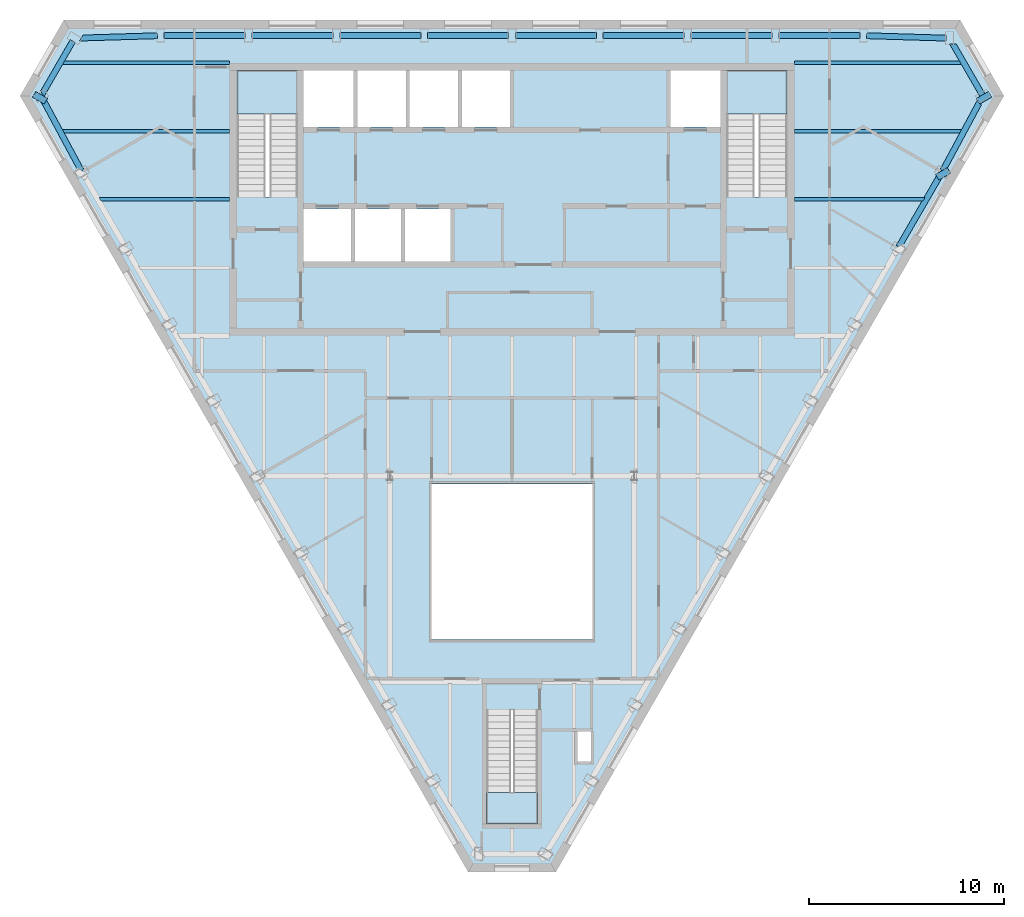
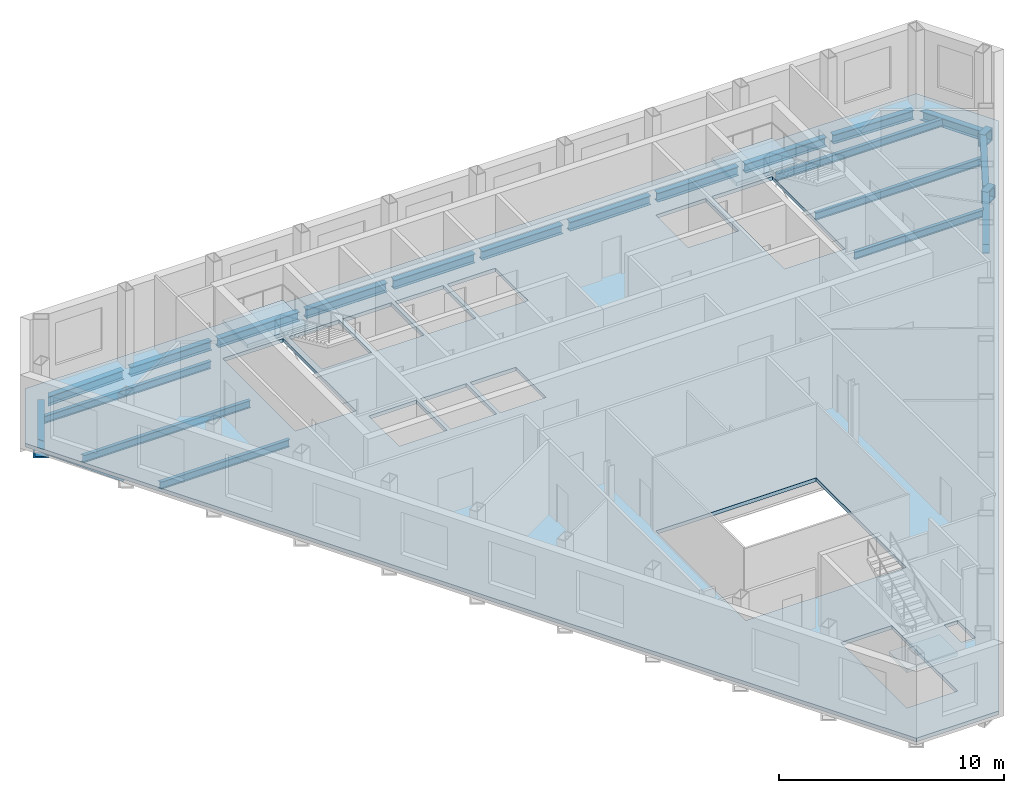
# One storey, part 3 of 11: 24 beams, 4 slabs, 3 elements without a shape of their own.
"""IFC4 building model written with IfcOpenShell, lengths in metres."""

from ifc_helpers import new_model, si_unit, direction, frame, origin, origin_2d, place, context, subcontext, project, spatial, polyline, hollow_rectangle, i_section, outline, extrude, clip, halfspace, material, layer, layer_set, material_profile, profile_set, type_object, element, aggregate, save


model = new_model("IFC4")

# Units and contexts
model_context = context("Model", 3, precision=1e-05, world=origin(), true_north=direction((0.0, 1.0)))
body_context = subcontext(model_context, "Body", "Model", "MODEL_VIEW")
ifc_project = project(units=[si_unit("LENGTHUNIT", "METRE"), si_unit("AREAUNIT", "SQUARE_METRE"), si_unit("VOLUMEUNIT", "CUBIC_METRE"), si_unit("PLANEANGLEUNIT", "RADIAN"), si_unit("MASSUNIT", "GRAM", prefix="KILO")], contexts=[model_context])

# Site, building, storey
site_placement = place(None, origin())
site = spatial("IfcSite", under=ifc_project, at=site_placement, CompositionType="ELEMENT")
building_placement = place(site_placement, origin())
building = spatial("IfcBuilding", under=site, at=building_placement, Name="Njiva Tower", CompositionType="ELEMENT")
storey_placement = place(building_placement, frame((0.0, 0.0, 312.6)))
storey = spatial("IfcBuildingStorey", under=building, at=storey_placement, Name="L71", CompositionType="ELEMENT", Elevation=312.6)

# Beams
ifc_material_1 = material(Name="Steel S355 J2", Category="steel")
ifc_material_profile_1 = material_profile(ifc_material_1, hollow_rectangle(XDim=0.7, YDim=0.7, WallThickness=0.08, at=origin_2d()), Name="BOX 700x700x80")
ifc_profile_set_1 = profile_set([ifc_material_profile_1], Name="Steel S355 J2")
beam_type_1 = type_object("IfcBeamType", Name="B19 Column jog beam BOX 700x700x80", PredefinedType="BEAM", material=ifc_profile_set_1)
beam_1_placement = place(storey_placement, frame((-24.308, 16.06, -0.55), z_axis=(0.499298623879, 0.866429964967, 0.0), x_axis=(-0.866429964967, 0.499298623879, 0.0)))
element("IfcBeam", 1, at=beam_1_placement, inside=storey, type_object=beam_type_1, Name="Column jog beam S24-B015", PredefinedType="BEAM", context=body_context, shape_type="SweptSolid", body=[
    extrude(hollow_rectangle(XDim=0.7, YDim=0.7, WallThickness=0.08, at=origin_2d()), origin(), (0.0, 0.0, 1.0), 0.3405),
])
beam_2_placement = place(storey_placement, frame((22.208, 12.158, -0.55), z_axis=(-0.500571914019, 0.865694957185, 0.0), x_axis=(-0.865694957185, -0.500571914019, 0.0)))
element("IfcBeam", 2, at=beam_2_placement, inside=storey, type_object=beam_type_1, Name="Column jog beam S24-B037", PredefinedType="BEAM", context=body_context, shape_type="SweptSolid", body=[
    extrude(hollow_rectangle(XDim=0.7, YDim=0.7, WallThickness=0.08, at=origin_2d()), origin(), (0.0, 0.0, 1.0), 0.3396),
])
beam_3_placement = place(storey_placement, frame((24.308, 16.06, -0.55), z_axis=(-0.499298623879, 0.866429964967, 0.0), x_axis=(-0.866429964967, -0.499298623879, 0.0)))
element("IfcBeam", 3, at=beam_3_placement, inside=storey, type_object=beam_type_1, Name="Column jog beam S24-B038", PredefinedType="BEAM", context=body_context, shape_type="SweptSolid", body=[
    extrude(hollow_rectangle(XDim=0.7, YDim=0.7, WallThickness=0.08, at=origin_2d()), origin(), (0.0, 0.0, 1.0), 0.3405),
])
ifc_material_profile_2 = material_profile(ifc_material_1, i_section(OverallWidth=0.3, OverallDepth=0.49, WebThickness=0.012, FlangeThickness=0.023, at=origin_2d()), Name="HEA 500")
ifc_profile_set_2 = profile_set([ifc_material_profile_2], Name="Steel S355 J2")
beam_type_2 = type_object("IfcBeamType", Name="B48 Short-span spandrel beam HEA 500", PredefinedType="SPANDREL", material=ifc_profile_set_2)
beam_4_placement = place(storey_placement, frame((22.277, 19.272, -0.445), z_axis=(-0.999544102072, 0.030192515853, 0.0), x_axis=(-0.030192515853, -0.999544102072, 0.0)))
element("IfcBeam", 4, at=beam_4_placement, inside=storey, type_object=beam_type_2, Name="Short-span spandrel beam S24-B114", PredefinedType="SPANDREL", context=body_context, shape_type="SweptSolid", body=[
    extrude(i_section(OverallWidth=0.3, OverallDepth=0.49, WebThickness=0.012, FlangeThickness=0.023, at=origin_2d()), origin(), (0.0, 0.0, 1.0), 4.0739),
])
beam_5_placement = place(storey_placement, frame((17.851, 19.4, -0.445), z_axis=(-1.0, 0.0, 0.0), x_axis=(0.0, -1.0, 0.0)))
element("IfcBeam", 5, at=beam_5_placement, inside=storey, type_object=beam_type_2, Name="Short-span spandrel beam S24-B109", PredefinedType="SPANDREL", context=body_context, shape_type="SweptSolid", body=[
    extrude(i_section(OverallWidth=0.3, OverallDepth=0.49, WebThickness=0.012, FlangeThickness=0.023, at=origin_2d()), origin(), (0.0, 0.0, 1.0), 4.156),
])
beam_6_placement = place(storey_placement, frame((13.345, 19.4, -0.445), z_axis=(-1.0, 0.0, 0.0), x_axis=(0.0, -1.0, 0.0)))
element("IfcBeam", 6, at=beam_6_placement, inside=storey, type_object=beam_type_2, Name="Short-span spandrel beam S24-B104", PredefinedType="SPANDREL", context=body_context, shape_type="SweptSolid", body=[
    extrude(i_section(OverallWidth=0.3, OverallDepth=0.49, WebThickness=0.012, FlangeThickness=0.023, at=origin_2d()), origin(), (0.0, 0.0, 1.0), 4.157),
])
beam_7_placement = place(storey_placement, frame((8.838, 19.4, -0.445), z_axis=(-1.0, 0.0, 0.0), x_axis=(0.0, -1.0, 0.0)))
element("IfcBeam", 7, at=beam_7_placement, inside=storey, type_object=beam_type_2, Name="Short-span spandrel beam S24-B099", PredefinedType="SPANDREL", context=body_context, shape_type="SweptSolid", body=[
    extrude(i_section(OverallWidth=0.3, OverallDepth=0.49, WebThickness=0.012, FlangeThickness=0.023, at=origin_2d()), origin(), (0.0, 0.0, 1.0), 4.156),
])
for number, where, z_axis, x_axis, name in (
    (8, (4.332, 19.4, -0.445), (-1.0, 0.0, 0.0), (0.0, -1.0, 0.0), "Short-span spandrel beam S24-B094"),
    (9, (-0.175, 19.4, -0.445), (-1.0, 0.0, 0.0), (0.0, -1.0, 0.0), "Short-span spandrel beam S24-B089"),
):
    element("IfcBeam", number, at=place(storey_placement, frame(where, z_axis=z_axis, x_axis=x_axis)), inside=storey, type_object=beam_type_2, Name=name, PredefinedType="SPANDREL", context=body_context, shape_type="SweptSolid", body=[
        extrude(i_section(OverallWidth=0.3, OverallDepth=0.49, WebThickness=0.012, FlangeThickness=0.023, at=origin_2d()), origin(), (0.0, 0.0, 1.0), 4.157),
    ])
beam_8_placement = place(storey_placement, frame((-4.682, 19.4, -0.445), z_axis=(-1.0, 0.0, 0.0), x_axis=(0.0, -1.0, 0.0)))
element("IfcBeam", 10, at=beam_8_placement, inside=storey, type_object=beam_type_2, Name="Short-span spandrel beam S24-B084", PredefinedType="SPANDREL", context=body_context, shape_type="SweptSolid", body=[
    extrude(i_section(OverallWidth=0.3, OverallDepth=0.49, WebThickness=0.012, FlangeThickness=0.023, at=origin_2d()), origin(), (0.0, 0.0, 1.0), 4.156),
])
beam_9_placement = place(storey_placement, frame((-9.188, 19.4, -0.445), z_axis=(-1.0, 0.0, 0.0), x_axis=(0.0, -1.0, 0.0)))
element("IfcBeam", 11, at=beam_9_placement, inside=storey, type_object=beam_type_2, Name="Short-span spandrel beam S24-B079", PredefinedType="SPANDREL", context=body_context, shape_type="SweptSolid", body=[
    extrude(i_section(OverallWidth=0.3, OverallDepth=0.49, WebThickness=0.012, FlangeThickness=0.023, at=origin_2d()), origin(), (0.0, 0.0, 1.0), 4.157),
])
beam_10_placement = place(storey_placement, frame((-13.695, 19.4, -0.445), z_axis=(-1.0, 0.0, 0.0), x_axis=(0.0, -1.0, 0.0)))
element("IfcBeam", 12, at=beam_10_placement, inside=storey, type_object=beam_type_2, Name="Short-span spandrel beam S24-B074", PredefinedType="SPANDREL", context=body_context, shape_type="SweptSolid", body=[
    extrude(i_section(OverallWidth=0.3, OverallDepth=0.49, WebThickness=0.012, FlangeThickness=0.023, at=origin_2d()), origin(), (0.0, 0.0, 1.0), 4.156),
])
beam_11_placement = place(storey_placement, frame((-18.205, 19.395, -0.445), z_axis=(-0.999542354349, -0.030250320034, 0.0), x_axis=(0.030250320034, -0.999542354349, 0.0)))
element("IfcBeam", 13, at=beam_11_placement, inside=storey, type_object=beam_type_2, Name="Short-span spandrel beam S24-B069", PredefinedType="SPANDREL", context=body_context, shape_type="Clipping", body=[
    clip(extrude(i_section(OverallWidth=0.3, OverallDepth=0.49, WebThickness=0.012, FlangeThickness=0.023, at=origin_2d()), origin(), (0.0, 0.0, 1.0), 4.0138), halfspace(frame((-0.0268, 0.0, 3.8841), z_axis=(-0.525966768254, 0.0, 0.850505119734), x_axis=(0.0, 1.0, 0.0)), False)),
])
beam_12_placement = place(storey_placement, frame((-22.544, 19.116, -0.445), z_axis=(-0.499962735845, -0.866046917185, 0.0), x_axis=(0.866046917185, -0.499962735845, 0.0)))
element("IfcBeam", 14, at=beam_12_placement, inside=storey, type_object=beam_type_2, Name="Short-span spandrel beam S24-B065", PredefinedType="SPANDREL", context=body_context, shape_type="Clipping", body=[
    clip(extrude(i_section(OverallWidth=0.3, OverallDepth=0.49, WebThickness=0.012, FlangeThickness=0.023, at=origin_2d()), origin(), (0.0, 0.0, 1.0), 3.2292), halfspace(frame((-0.0246, 0.0, 3.1078), z_axis=(-0.50003925339, 0.0, 0.866002739643), x_axis=(0.0, 1.0, 0.0)), False)),
])
beam_13_placement = place(storey_placement, frame((-24.031, 16.048, -0.445), z_axis=(0.473821637222, -0.880620835604, 0.0), x_axis=(0.880620835604, 0.473821637222, 0.0)))
element("IfcBeam", 15, at=beam_13_placement, inside=storey, type_object=beam_type_2, Name="Short-span spandrel beam S24-B067", PredefinedType="SPANDREL", context=body_context, shape_type="SweptSolid", body=[
    extrude(i_section(OverallWidth=0.3, OverallDepth=0.49, WebThickness=0.012, FlangeThickness=0.023, at=origin_2d()), origin(), (0.0, 0.0, 1.0), 4.0733),
])
beam_14_placement = place(storey_placement, frame((19.847, 8.554, -0.445), z_axis=(0.500097243556, 0.865969252911, 0.0), x_axis=(-0.865969252911, 0.500097243556, 0.0)))
element("IfcBeam", 16, at=beam_14_placement, inside=storey, type_object=beam_type_2, Name="Short-span spandrel beam S24-B115", PredefinedType="SPANDREL", context=body_context, shape_type="SweptSolid", body=[
    extrude(i_section(OverallWidth=0.3, OverallDepth=0.49, WebThickness=0.012, FlangeThickness=0.023, at=origin_2d()), origin(), (0.0, 0.0, 1.0), 4.1572),
])
beam_15_placement = place(storey_placement, frame((22.101, 12.461, -0.445), z_axis=(0.473742932828, 0.88066317829, 0.0), x_axis=(-0.88066317829, 0.473742932828, 0.0)))
element("IfcBeam", 17, at=beam_15_placement, inside=storey, type_object=beam_type_2, Name="Short-span spandrel beam S24-B117", PredefinedType="SPANDREL", context=body_context, shape_type="Clipping", body=[
    clip(extrude(i_section(OverallWidth=0.3, OverallDepth=0.49, WebThickness=0.012, FlangeThickness=0.023, at=origin_2d()), origin(), (0.0, 0.0, 1.0), 4.1236), halfspace(frame((-0.0261, 0.0, 3.9938), z_axis=(-0.525807172935, 0.0, 0.850603795483), x_axis=(0.0, 1.0, 0.0)), False)),
])
beam_16_placement = place(storey_placement, frame((24.168, 16.303, -0.445), z_axis=(-0.500228859883, 0.865893231143, 0.0), x_axis=(-0.865893231143, -0.500228859883, 0.0)))
element("IfcBeam", 18, at=beam_16_placement, inside=storey, type_object=beam_type_2, Name="Short-span spandrel beam S24-B120", PredefinedType="SPANDREL", context=body_context, shape_type="Clipping", body=[
    clip(extrude(i_section(OverallWidth=0.3, OverallDepth=0.49, WebThickness=0.012, FlangeThickness=0.023, at=origin_2d()), origin(), (0.0, 0.0, 1.0), 3.1836), halfspace(frame((-0.0254, 0.0, 3.0619), z_axis=(-0.500228859883, 0.0, 0.865893231143), x_axis=(0.0, 1.0, 0.0)), False)),
])
ifc_material_profile_3 = material_profile(ifc_material_1, i_section(OverallWidth=0.18, OverallDepth=0.4, WebThickness=0.0086, FlangeThickness=0.0135, at=origin_2d()), Name="IPE 400")
ifc_profile_set_3 = profile_set([ifc_material_profile_3], Name="Steel S355 J2")
beam_type_3 = type_object("IfcBeamType", Name="B51 Floor beam to the core IPE 400", PredefinedType="BEAM", material=ifc_profile_set_3)
beam_17_placement = place(storey_placement, frame((-21.216, 11.0, -0.4), z_axis=(1.0, 0.0, 0.0), x_axis=(0.0, 1.0, 0.0)))
element("IfcBeam", 19, at=beam_17_placement, inside=storey, type_object=beam_type_3, Name="Floor beam to the core S24-B003", PredefinedType="BEAM", context=body_context, shape_type="Clipping", body=[
    clip(extrude(i_section(OverallWidth=0.18, OverallDepth=0.4, WebThickness=0.0086, FlangeThickness=0.0135, at=origin_2d()), origin(), (0.0, 0.0, 1.0), 6.716), halfspace(frame((-0.025, 0.0, 0.0863), z_axis=(-0.499998009787, 0.0, -0.866026552831), x_axis=(0.0, -1.0, 0.0)), False)),
])
beam_18_placement = place(storey_placement, frame((14.5, 11.0, -0.4), z_axis=(1.0, 0.0, 0.0), x_axis=(0.0, 1.0, 0.0)))
element("IfcBeam", 20, at=beam_18_placement, inside=storey, type_object=beam_type_3, Name="Floor beam to the core S24-B006", PredefinedType="BEAM", context=body_context, shape_type="Clipping", body=[
    clip(extrude(i_section(OverallWidth=0.18, OverallDepth=0.4, WebThickness=0.0086, FlangeThickness=0.0135, at=origin_2d()), origin(), (0.0, 0.0, 1.0), 6.716), halfspace(frame((-0.025, 0.0, 6.6297), z_axis=(-0.499998009787, 0.0, 0.866026552831), x_axis=(0.0, 1.0, 0.0)), False)),
])
beam_19_placement = place(storey_placement, frame((-23.152, 14.5, -0.4), z_axis=(1.0, 0.0, 0.0), x_axis=(0.0, 1.0, 0.0)))
element("IfcBeam", 21, at=beam_19_placement, inside=storey, type_object=beam_type_3, Name="Floor beam to the core S24-B001", PredefinedType="BEAM", context=body_context, shape_type="Clipping", body=[
    clip(extrude(i_section(OverallWidth=0.18, OverallDepth=0.4, WebThickness=0.0086, FlangeThickness=0.0135, at=origin_2d()), origin(), (0.0, 0.0, 1.0), 8.652), halfspace(frame((-0.0237, 0.0, 0.0807), z_axis=(-0.47376166762, 0.0, -0.88065309986), x_axis=(0.0, -1.0, 0.0)), False)),
])
beam_20_placement = place(storey_placement, frame((14.5, 14.5, -0.4), z_axis=(1.0, 0.0, 0.0), x_axis=(0.0, 1.0, 0.0)))
element("IfcBeam", 22, at=beam_20_placement, inside=storey, type_object=beam_type_3, Name="Floor beam to the core S24-B007", PredefinedType="BEAM", context=body_context, shape_type="Clipping", body=[
    clip(extrude(i_section(OverallWidth=0.18, OverallDepth=0.4, WebThickness=0.0086, FlangeThickness=0.0135, at=origin_2d()), origin(), (0.0, 0.0, 1.0), 8.652), halfspace(frame((-0.0237, 0.0, 8.5713), z_axis=(-0.47376166762, 0.0, 0.88065309986), x_axis=(0.0, 1.0, 0.0)), False)),
])
beam_21_placement = place(storey_placement, frame((-23.144, 18.0, -0.4), z_axis=(1.0, 0.0, 0.0), x_axis=(0.0, 1.0, 0.0)))
element("IfcBeam", 23, at=beam_21_placement, inside=storey, type_object=beam_type_3, Name="Floor beam to the core S24-B002", PredefinedType="BEAM", context=body_context, shape_type="Clipping", body=[
    clip(extrude(i_section(OverallWidth=0.18, OverallDepth=0.4, WebThickness=0.0086, FlangeThickness=0.0135, at=origin_2d()), origin(), (0.0, 0.0, 1.0), 8.644), halfspace(frame((0.025, 0.0, 0.0862), z_axis=(0.499998009787, 0.0, -0.866026552831), x_axis=(0.0, -1.0, 0.0)), False)),
])
beam_22_placement = place(storey_placement, frame((14.5, 18.0, -0.4), z_axis=(1.0, 0.0, 0.0), x_axis=(0.0, 1.0, 0.0)))
element("IfcBeam", 24, at=beam_22_placement, inside=storey, type_object=beam_type_3, Name="Floor beam to the core S24-B008", PredefinedType="BEAM", context=body_context, shape_type="Clipping", body=[
    clip(extrude(i_section(OverallWidth=0.18, OverallDepth=0.4, WebThickness=0.0086, FlangeThickness=0.0135, at=origin_2d()), origin(), (0.0, 0.0, 1.0), 8.644), halfspace(frame((0.025, 0.0, 8.5578), z_axis=(0.499998009787, 0.0, 0.866026552831), x_axis=(0.0, 1.0, 0.0)), False)),
])

# Stair, slab
ifc_material_2 = material(Name="Concrete C40/50", Category="concrete")
stair_type_1 = type_object("IfcStairType", Name="ST3 Exit stair 1450", PredefinedType="HALF_TURN_STAIR", material=ifc_material_2)
stair_1_placement = place(storey_placement, origin())
stair_1 = element("IfcStair", 25, at=stair_1_placement, inside=storey, type_object=stair_type_1, Name="Stair A", PredefinedType="HALF_TURN_STAIR")
ifc_layer_1 = layer(ifc_material_2, 0.2)
ifc_layer_set_1 = layer_set([ifc_layer_1], Name="Concrete C40/50")
slab_type_1 = type_object("IfcSlabType", Name="FL9 Stair landing 200", PredefinedType="LANDING", material=ifc_layer_set_1)
slab_1_placement = place(storey_placement, frame((0.0, 0.0, 1.9)))
slab_1 = element("IfcSlab", 26, at=slab_1_placement, type_object=slab_type_1, Name="ST-A landing 1", PredefinedType="LANDING", context=body_context, shape_type="SweptSolid", body=[
    extrude(outline(polyline([(-14.106, 15.39), (-10.994, 15.39), (-10.994, 17.6), (-14.106, 17.6), (-14.106, 15.39)])), origin(), (0.0, 0.0, 1.0), 0.2),
])
aggregate(stair_1, [slab_1])

stair_2_placement = place(storey_placement, origin())
stair_2 = element("IfcStair", 27, at=stair_2_placement, inside=storey, type_object=stair_type_1, Name="Stair B", PredefinedType="HALF_TURN_STAIR")
slab_2_placement = place(storey_placement, frame((0.0, 0.0, 1.9)))
slab_2 = element("IfcSlab", 28, at=slab_2_placement, type_object=slab_type_1, Name="ST-B landing 1", PredefinedType="LANDING", context=body_context, shape_type="SweptSolid", body=[
    extrude(outline(polyline([(10.994, 15.39), (14.106, 15.39), (14.106, 17.6), (10.994, 17.6), (10.994, 15.39)])), origin(), (0.0, 0.0, 1.0), 0.2),
])
aggregate(stair_2, [slab_2])

stair_type_2 = type_object("IfcStairType", Name="ST1 Exit stair 1250", PredefinedType="HALF_TURN_STAIR", material=ifc_material_2)
stair_3_placement = place(storey_placement, origin())
stair_3 = element("IfcStair", 29, at=stair_3_placement, inside=storey, type_object=stair_type_2, Name="Stair C", PredefinedType="HALF_TURN_STAIR")
slab_3_placement = place(storey_placement, frame((0.0, 0.0, 1.9)))
slab_3 = element("IfcSlab", 30, at=slab_3_placement, type_object=slab_type_1, Name="ST-C landing 1", PredefinedType="LANDING", context=body_context, shape_type="SweptSolid", body=[
    extrude(outline(polyline([(-1.306, -21.05), (1.306, -21.05), (1.306, -19.45), (-1.306, -19.45), (-1.306, -21.05)])), origin(), (0.0, 0.0, 1.0), 0.2),
])
aggregate(stair_3, [slab_3])

# Slab
ifc_material_3 = material(Name="Concrete C30/37", Category="concrete")
ifc_layer_2 = layer(ifc_material_3, 0.2)
ifc_layer_set_2 = layer_set([ifc_layer_2], Name="Concrete C30/37")
slab_type_2 = type_object("IfcSlabType", Name="SL16 Composite floor slab 200", PredefinedType="FLOOR", material=ifc_layer_set_2)
slab_4_placement = place(storey_placement, frame((0.0, 0.0, -0.2)))
element("IfcSlab", 31, at=slab_4_placement, inside=storey, type_object=slab_type_2, Name="Floor slab L71", PredefinedType="FLOOR", context=body_context, shape_type="SweptSolid", body=[
    extrude(outline(polyline([(24.9852, 16.3029), (2.1201, -23.3006), (-2.1201, -23.3006), (-24.9852, 16.3029), (-22.8651, 19.975), (22.8651, 19.975), (24.9852, 16.3029)]), holes=[polyline([(10.994, 11.13), (14.106, 11.13), (14.106, 17.6), (10.994, 17.6), (10.994, 11.13)]), polyline([(8.125, 14.7), (10.7, 14.7), (10.7, 17.6), (8.125, 17.6), (8.125, 14.7)]), polyline([(4.12, -11.6), (4.12, -3.6), (-4.12, -3.6), (-4.12, -11.6), (4.12, -11.6)]), polyline([(3.35, -17.85), (4.05, -17.85), (4.05, -16.3), (3.35, -16.3), (3.35, -17.85)]), polyline([(-1.306, -21.05), (1.306, -21.05), (1.306, -15.19), (-1.306, -15.19), (-1.306, -21.05)]), polyline([(-2.575, 14.7), (-0.1, 14.7), (-0.1, 17.6), (-2.575, 17.6), (-2.575, 14.7)]), polyline([(-2.775, 14.7), (-2.775, 17.6), (-5.25, 17.6), (-5.25, 14.7), (-2.775, 14.7)]), polyline([(-5.5, 7.8), (-3.15, 7.8), (-3.15, 10.5), (-5.5, 10.5), (-5.5, 7.8)]), polyline([(-7.925, 14.7), (-5.45, 14.7), (-5.45, 17.6), (-7.925, 17.6), (-7.925, 14.7)]), polyline([(-8.05, 7.8), (-5.7, 7.8), (-5.7, 10.5), (-8.05, 10.5), (-8.05, 7.8)]), polyline([(-10.7, 14.7), (-8.125, 14.7), (-8.125, 17.6), (-10.7, 17.6), (-10.7, 14.7)]), polyline([(-8.25, 7.8), (-8.25, 10.5), (-10.7, 10.5), (-10.7, 7.8), (-8.25, 7.8)]), polyline([(-10.994, 11.13), (-10.994, 17.6), (-14.106, 17.6), (-14.106, 11.13), (-10.994, 11.13)])]), origin(), (0.0, 0.0, 1.0), 0.2),
])

save(model, "model.ifc")
